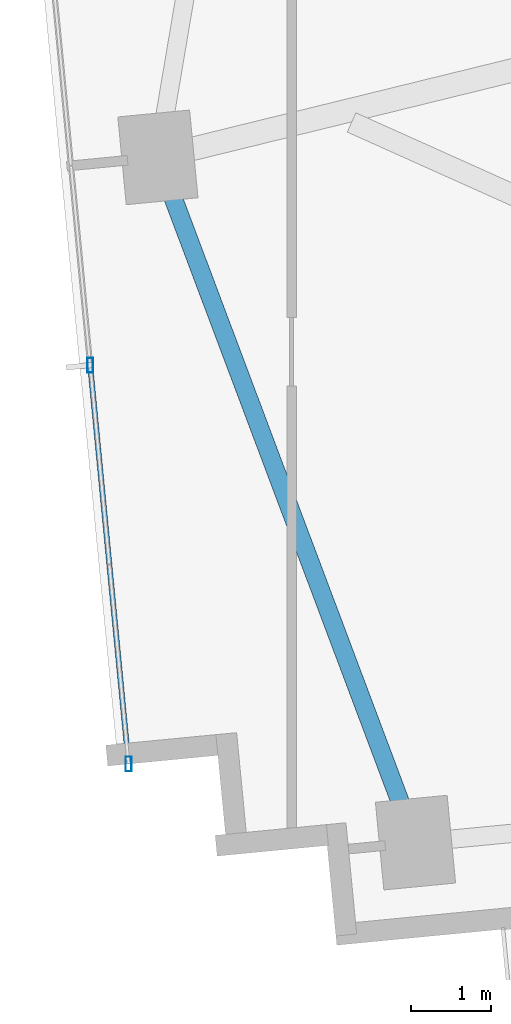
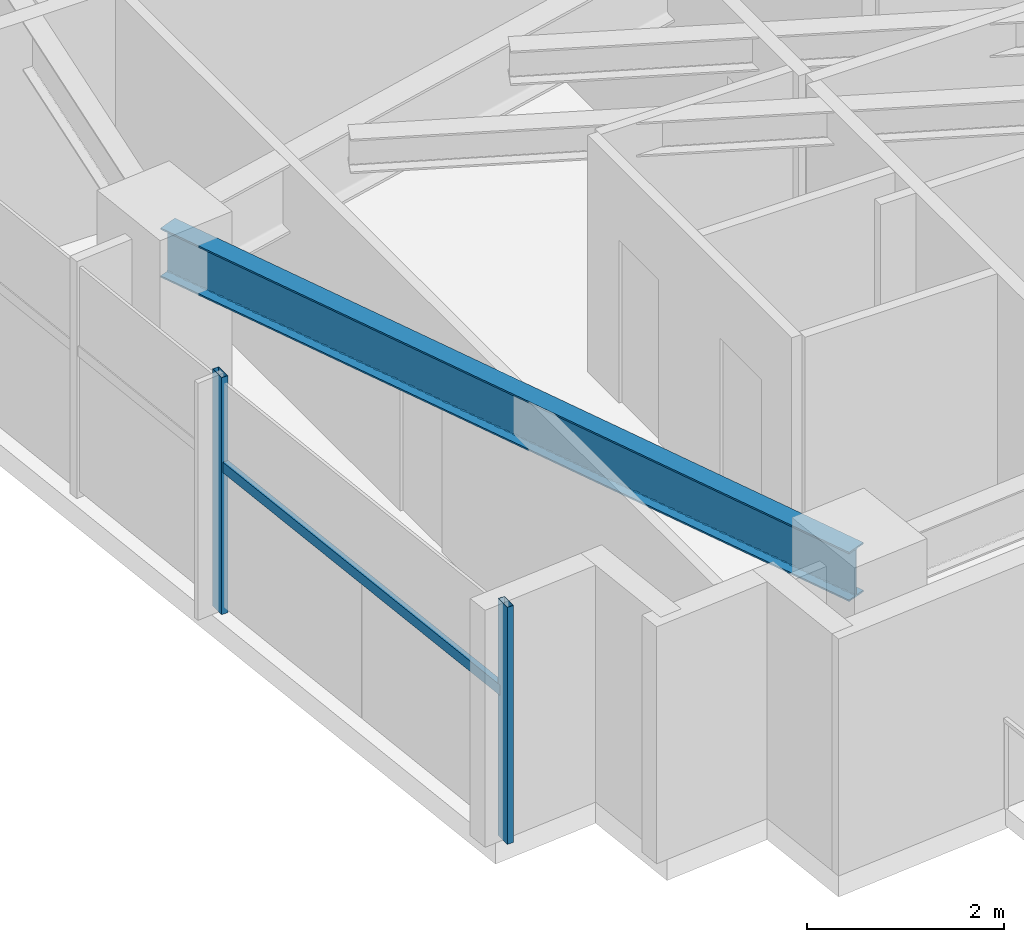
# One storey, part 2 of 27: 3 members, 1 beam, 1 element without a shape of its own.
"""IFC4 building model written with IfcOpenShell, lengths in metres."""

from ifc_helpers import new_model, si_unit, direction, frame, origin, origin_2d, place, context, subcontext, project, spatial, hollow_rectangle, i_section, extrude, source, transform, mapped, material, material_profile, profile_set, type_object, type_shapes, element, aggregate, save


model = new_model("IFC4")

# Units and contexts
model_context = context("Model", 3, precision=1e-05, world=origin(), true_north=direction((0.0, 1.0)))
body_context = subcontext(model_context, "Body", "Model", "MODEL_VIEW")
ifc_project = project(units=[si_unit("LENGTHUNIT", "METRE"), si_unit("AREAUNIT", "SQUARE_METRE"), si_unit("VOLUMEUNIT", "CUBIC_METRE"), si_unit("PLANEANGLEUNIT", "RADIAN"), si_unit("MASSUNIT", "GRAM", prefix="KILO")], contexts=[model_context])

# Site, building, storey
site_placement = place(None, origin())
site = spatial("IfcSite", under=ifc_project, at=site_placement, CompositionType="ELEMENT")
building_placement = place(site_placement, origin())
building = spatial("IfcBuilding", under=site, at=building_placement, Name="Astriad Promenade Condominiums", CompositionType="ELEMENT")
storey_placement = place(building_placement, frame((0.0, 0.0, 87.39990234375)))
storey = spatial("IfcBuildingStorey", under=building, at=storey_placement, Name="L24", CompositionType="ELEMENT", Elevation=87.39990234375)

# Beam
ifc_material_1 = material(Name="Steel ASTM A992 Grade 50", Category="steel")
ifc_material_profile_1 = material_profile(ifc_material_1, i_section(OverallWidth=0.22900390625, OverallDepth=0.612060546875, WebThickness=0.011962890625, FlangeThickness=0.01953125, FilletRadius=0.017822265625, at=origin_2d()), Name="W24X84")
ifc_profile_set_1 = profile_set([ifc_material_profile_1], Name="Steel ASTM A992 Grade 50")
beam_type = type_object("IfcBeamType", Name="STEEL SPANDREL BEAM W24X84", PredefinedType="SPANDREL", material=ifc_profile_set_1)
shared_shape_1 = source(origin(), body_context, "Body", "SweptSolid", [
    extrude(i_section(OverallWidth=0.22900390625, OverallDepth=0.612060546875, WebThickness=0.011962890625, FlangeThickness=0.01953125, FilletRadius=0.017822265625, at=origin_2d()), origin(), (0.0, 0.0, 1.0), 9.055419921875),
])
type_shapes(beam_type, [shared_shape_1])
beam_placement = place(storey_placement, frame((10.765625, 13.523193359375, 2.634033203125), z_axis=(0.351864937141, -0.936050781748, 0.0), x_axis=(0.936050781748, 0.351864937141, 0.0)))
element("IfcBeam", 1, at=beam_placement, inside=storey, type_object=beam_type, Name="Perimeter Spandrel Beam SP-W1-L24", PredefinedType="SPANDREL", context=body_context, shape_type="MappedRepresentation", body=[
    mapped(shared_shape_1, transform((0.0, 0.0, 0.0), scale=1.0)),
])

# Curtain wall, members
ifc_material_2 = material(Name="Anodised aluminium Black Dark Glass Unitised", Category="aluminium")
curtain_wall_type = type_object("IfcCurtainWallType", Name="CW-B2-DARK", PredefinedType="USERDEFINED", material=ifc_material_2)
curtain_wall_placement = place(storey_placement, origin())
curtain_wall = element("IfcCurtainWall", 2, at=curtain_wall_placement, inside=storey, type_object=curtain_wall_type, Name="CW-L24-W", ObjectType="UNITISED_CURTAIN_WALL", PredefinedType="USERDEFINED")
ifc_material_3 = material(Name="Anodised aluminium 6063-T6 Black", Category="aluminium")
ifc_material_profile_2 = material_profile(ifc_material_3, hollow_rectangle(XDim=0.074951171875, YDim=0.18505859375, WallThickness=0.00439453125, at=origin_2d()), Name="ALU-MUL-75X185")
ifc_profile_set_2 = profile_set([ifc_material_profile_2], Name="Anodised aluminium 6063-T6 Black")
member_type_1 = type_object("IfcMemberType", Name="MUL-ALU-MUL-75X185", PredefinedType="MULLION", material=ifc_profile_set_2)
shared_shape_2 = source(origin(), body_context, "Body", "SweptSolid", [
    extrude(hollow_rectangle(XDim=0.074951171875, YDim=0.18505859375, WallThickness=0.00439453125, at=origin_2d()), origin(), (0.0, 0.0, 1.0), 2.940185546875),
])
type_shapes(member_type_1, [shared_shape_2])
member_1_placement = place(storey_placement, frame((10.385498046875, 5.99072265625, 0.0), z_axis=(0.0, 0.0, 1.0), x_axis=(1.0, 0.0, 0.0)))
member_1 = element("IfcMember", 3, at=member_1_placement, type_object=member_type_1, Name="CW-L24-W-MUL-00", PredefinedType="MULLION", context=body_context, shape_type="MappedRepresentation", body=[
    mapped(shared_shape_2, transform((0.0, 0.0, 0.0), scale=1.0)),
])
member_2_placement = place(storey_placement, frame((9.90625, 10.9677734375, 0.0), z_axis=(0.0, 0.0, 1.0), x_axis=(1.0, 0.0, 0.0)))
member_2 = element("IfcMember", 4, at=member_2_placement, type_object=member_type_1, Name="CW-L24-W-MUL-01", PredefinedType="MULLION", context=body_context, shape_type="MappedRepresentation", body=[
    mapped(shared_shape_2, transform((0.0, 0.0, 0.0), scale=1.0)),
])
ifc_material_profile_3 = material_profile(ifc_material_3, hollow_rectangle(XDim=0.06494140625, YDim=0.1298828125, WallThickness=0.00390625, at=origin_2d()), Name="ALU-TRN-65X130")
ifc_profile_set_3 = profile_set([ifc_material_profile_3], Name="Anodised aluminium 6063-T6 Black")
member_type_2 = type_object("IfcMemberType", Name="TRN-ALU-TRN-65X130", PredefinedType="USERDEFINED", material=ifc_profile_set_3)
shared_shape_3 = source(origin(), body_context, "Body", "SweptSolid", [
    extrude(hollow_rectangle(XDim=0.06494140625, YDim=0.1298828125, WallThickness=0.00390625, at=origin_2d()), origin(), (0.0, 0.0, 1.0), 5.0),
])
type_shapes(member_type_2, [shared_shape_3])
member_3_placement = place(storey_placement, frame((10.385498046875, 5.99072265625, 1.822998046875), z_axis=(-0.095848242264, 0.995395958629, 0.0), x_axis=(-0.995395958629, -0.095848242264, 0.0)))
member_3 = element("IfcMember", 5, at=member_3_placement, type_object=member_type_2, Name="CW-L24-W-TRN-00-0", ObjectType="TRANSOM", PredefinedType="USERDEFINED", context=body_context, shape_type="MappedRepresentation", body=[
    mapped(shared_shape_3, transform((0.0, 0.0, 0.0), scale=1.0)),
])
aggregate(curtain_wall, [member_1, member_2, member_3])

save(model, "model.ifc")
